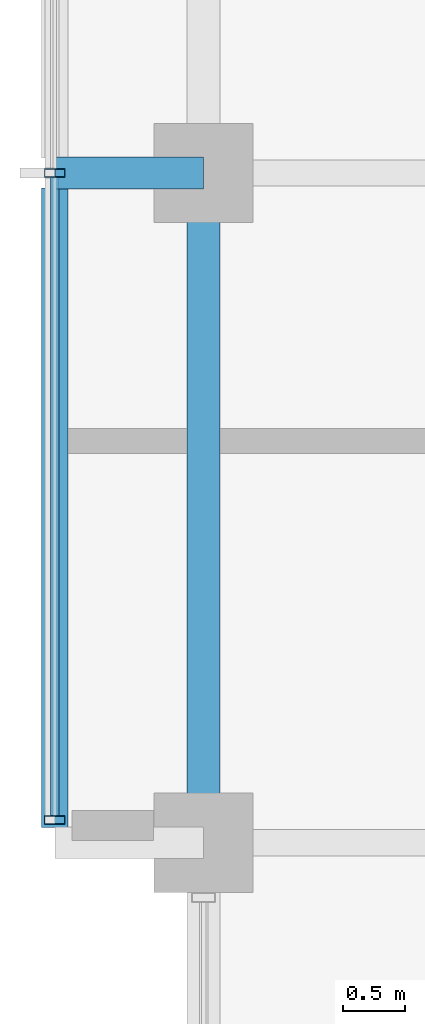
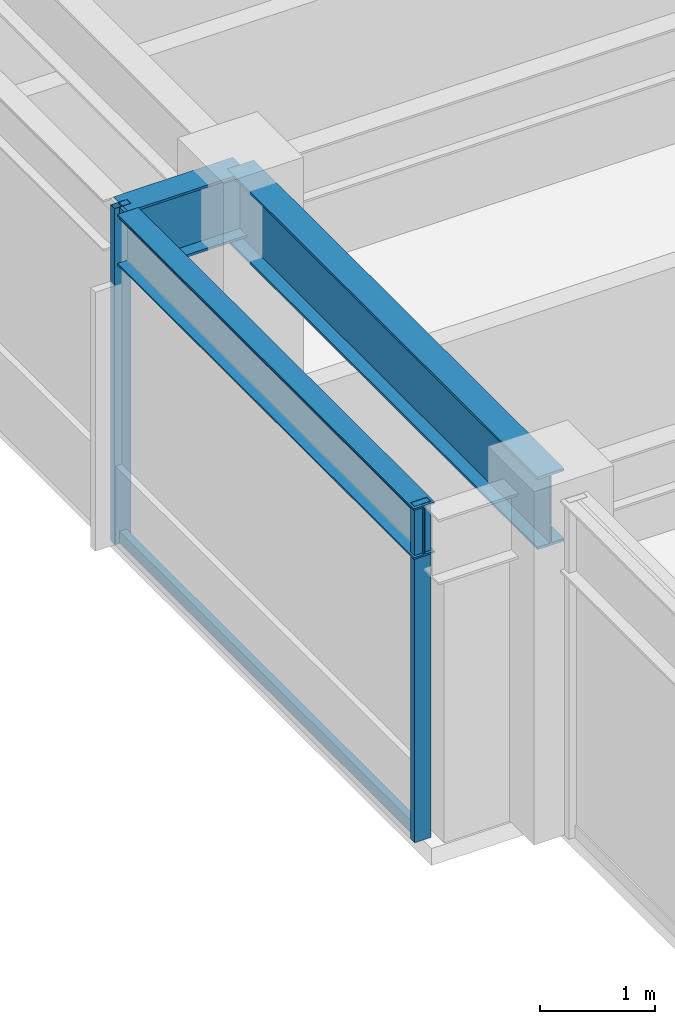
# One storey, part 8 of 32: 4 members, 3 beams, 1 element without a shape of its own.
"""IFC4 building model written with IfcOpenShell, lengths in metres."""

from ifc_helpers import new_model, si_unit, direction, frame, origin, origin_2d, place, context, subcontext, project, spatial, hollow_rectangle, i_section, extrude, material, layer, layer_set, material_profile, profile_set, type_object, element, aggregate, save


model = new_model("IFC4")

# Units and contexts
model_context = context("Model", 3, precision=1e-05, world=origin(), true_north=direction((0.0, 1.0)))
body_context = subcontext(model_context, "Body", "Model", "MODEL_VIEW")
ifc_project = project(units=[si_unit("LENGTHUNIT", "METRE"), si_unit("AREAUNIT", "SQUARE_METRE"), si_unit("VOLUMEUNIT", "CUBIC_METRE"), si_unit("PLANEANGLEUNIT", "RADIAN"), si_unit("MASSUNIT", "GRAM", prefix="KILO")], contexts=[model_context])

# Site, building, storey
site_placement = place(None, origin())
site = spatial("IfcSite", under=ifc_project, at=site_placement, CompositionType="ELEMENT")
building_placement = place(site_placement, origin())
building = spatial("IfcBuilding", under=site, at=building_placement, Name="Surkhivell Harbour Commons", CompositionType="ELEMENT")
storey_placement = place(building_placement, frame((0.0, 0.0, 234.75)))
storey = spatial("IfcBuildingStorey", under=building, at=storey_placement, Name="L61", CompositionType="ELEMENT", Elevation=234.75)

# Beams
ifc_material_1 = material(Name="Steel S460", Category="steel")
ifc_material_profile_1 = material_profile(ifc_material_1, i_section(OverallWidth=0.256103515625, OverallDepth=0.693115234375, WebThickness=0.014404296875, FlangeThickness=0.023681640625, at=origin_2d()), Name="UB686x254x170")
ifc_profile_set_1 = profile_set([ifc_material_profile_1], Name="Steel S460")
beam_type_1 = type_object("IfcBeamType", Name="BM-CNT-686", PredefinedType="BEAM", material=ifc_profile_set_1)
beam_1_placement = place(storey_placement, frame((-27.0, 0.0, 3.223388671875), z_axis=(-1.0, 0.0, 0.0), x_axis=(0.0, -1.0, 0.0)))
element("IfcBeam", 1, at=beam_1_placement, inside=storey, type_object=beam_type_1, Name="L61 Box Cantilever Outrigger (-27.0,0.0)", PredefinedType="BEAM", context=body_context, shape_type="SweptSolid", body=[
    extrude(i_section(OverallWidth=0.256103515625, OverallDepth=0.693115234375, WebThickness=0.014404296875, FlangeThickness=0.023681640625, at=origin_2d()), origin(), (0.0, 0.0, 1.0), 1.199951171875),
])
ifc_material_2 = material(Name="Steel S355", Category="steel")
ifc_material_profile_2 = material_profile(ifc_material_2, i_section(OverallWidth=0.2099609375, OverallDepth=0.537109375, WebThickness=0.0107421875, FlangeThickness=0.017333984375, at=origin_2d()), Name="UB533x210x101")
ifc_profile_set_2 = profile_set([ifc_material_profile_2], Name="Steel S355")
beam_type_2 = type_object("IfcBeamType", Name="BM-GRD-533B", PredefinedType="BEAM", material=ifc_profile_set_2)
beam_2_placement = place(storey_placement, frame((-28.199951171875, -5.278076171875, 3.301513671875), z_axis=(0.0, 1.0, 0.0), x_axis=(-1.0, 0.0, 0.0)))
element("IfcBeam", 2, at=beam_2_placement, inside=storey, type_object=beam_type_2, Name="L61 Box Rim Spandrel (-28.2,-5.4)", PredefinedType="BEAM", context=body_context, shape_type="SweptSolid", body=[
    extrude(i_section(OverallWidth=0.2099609375, OverallDepth=0.537109375, WebThickness=0.0107421875, FlangeThickness=0.017333984375, at=origin_2d()), origin(), (0.0, 0.0, 1.0), 5.156005859375),
])
ifc_material_profile_3 = material_profile(ifc_material_2, i_section(OverallWidth=0.26806640625, OverallDepth=0.77001953125, WebThickness=0.015625, FlangeThickness=0.025390625, at=origin_2d()), Name="UB762x267x197")
ifc_profile_set_3 = profile_set([ifc_material_profile_3], Name="Steel S355")
beam_type_3 = type_object("IfcBeamType", Name="BM-SPN-762", PredefinedType="SPANDREL", material=ifc_profile_set_3)
beam_3_placement = place(storey_placement, frame((-27.0, -5.39990234375, 3.18505859375), z_axis=(0.0, 1.0, 0.0), x_axis=(-1.0, 0.0, 0.0)))
element("IfcBeam", 3, at=beam_3_placement, inside=storey, type_object=beam_type_3, Name="L61 Tube Spandrel (-27.0,-5.4)", PredefinedType="SPANDREL", context=body_context, shape_type="SweptSolid", body=[
    extrude(i_section(OverallWidth=0.26806640625, OverallDepth=0.77001953125, WebThickness=0.015625, FlangeThickness=0.025390625, at=origin_2d()), origin(), (0.0, 0.0, 1.0), 5.39990234375),
])

# Curtain wall, members
ifc_material_3 = material(Name="Anodised pale-metal aluminium and insulated glazing", Category="aluminium")
ifc_layer = layer(ifc_material_3, 0.1650390625)
ifc_layer_set = layer_set([ifc_layer], Name="Anodised pale-metal aluminium and insulated glazing")
curtain_wall_type = type_object("IfcCurtainWallType", Name="CW-SYS-BOX", PredefinedType="NOTDEFINED", material=ifc_layer_set)
curtain_wall_placement = place(storey_placement, origin())
curtain_wall = element("IfcCurtainWall", 4, at=curtain_wall_placement, inside=storey, type_object=curtain_wall_type, Name="L61 Curtain Wall CW-L61-BOX02", PredefinedType="NOTDEFINED")
ifc_material_4 = material(Name="Champagne anodised aluminium alloy 6063-T6", Category="aluminium")
ifc_material_profile_4 = material_profile(ifc_material_4, hollow_rectangle(XDim=0.070068359375, YDim=0.1650390625, WallThickness=0.00341796875, at=origin_2d()), Name="ALU-MULL-70x165")
ifc_profile_set_4 = profile_set([ifc_material_profile_4], Name="Champagne anodised aluminium alloy 6063-T6")
member_type_1 = type_object("IfcMemberType", Name="CWM-165", PredefinedType="MULLION", material=ifc_profile_set_4)
member_1_placement = place(storey_placement, frame((-28.199951171875, -5.215087890625, 0.0), z_axis=(0.0, 0.0, 1.0), x_axis=(0.0, 1.0, 0.0)))
member_1 = element("IfcMember", 5, at=member_1_placement, type_object=member_type_1, Name="CW-BOX mullion 1", PredefinedType="MULLION", context=body_context, shape_type="SweptSolid", body=[
    extrude(hollow_rectangle(XDim=0.070068359375, YDim=0.1650390625, WallThickness=0.00341796875, at=origin_2d()), origin(), (0.0, 0.0, 1.0), 3.570068359375),
])
member_2_placement = place(storey_placement, frame((-28.199951171875, 0.0, 0.0), z_axis=(0.0, 0.0, 1.0), x_axis=(0.0, 1.0, 0.0)))
member_2 = element("IfcMember", 6, at=member_2_placement, type_object=member_type_1, Name="CW-BOX mullion 2", PredefinedType="MULLION", context=body_context, shape_type="SweptSolid", body=[
    extrude(hollow_rectangle(XDim=0.070068359375, YDim=0.1650390625, WallThickness=0.00341796875, at=origin_2d()), origin(), (0.0, 0.0, 1.0), 3.570068359375),
])
ifc_material_profile_5 = material_profile(ifc_material_4, hollow_rectangle(XDim=0.070068359375, YDim=0.1298828125, WallThickness=0.00341796875, at=origin_2d()), Name="ALU-TRAN-70x130")
ifc_profile_set_5 = profile_set([ifc_material_profile_5], Name="Champagne anodised aluminium alloy 6063-T6")
member_type_2 = type_object("IfcMemberType", Name="CWT-130", PredefinedType="USERDEFINED", material=ifc_profile_set_5)
member_3_placement = place(storey_placement, frame((-28.199951171875, -5.179931640625, 0.06494140625), z_axis=(0.0, 1.0, 0.0), x_axis=(-1.0, 0.0, 0.0)))
member_3 = element("IfcMember", 7, at=member_3_placement, type_object=member_type_2, Name="CW-BOX transom 1.1", ObjectType="TRANSOM", PredefinedType="USERDEFINED", context=body_context, shape_type="SweptSolid", body=[
    extrude(hollow_rectangle(XDim=0.070068359375, YDim=0.1298828125, WallThickness=0.00341796875, at=origin_2d()), origin(), (0.0, 0.0, 1.0), 5.14501953125),
])
member_4_placement = place(storey_placement, frame((-28.199951171875, -5.179931640625, 3.5048828125), z_axis=(0.0, 1.0, 0.0), x_axis=(-1.0, 0.0, 0.0)))
member_4 = element("IfcMember", 8, at=member_4_placement, type_object=member_type_2, Name="CW-BOX transom 1.2", ObjectType="TRANSOM", PredefinedType="USERDEFINED", context=body_context, shape_type="SweptSolid", body=[
    extrude(hollow_rectangle(XDim=0.070068359375, YDim=0.1298828125, WallThickness=0.00341796875, at=origin_2d()), origin(), (0.0, 0.0, 1.0), 5.14501953125),
])
aggregate(curtain_wall, [member_1, member_2, member_3, member_4])

save(model, "model.ifc")
